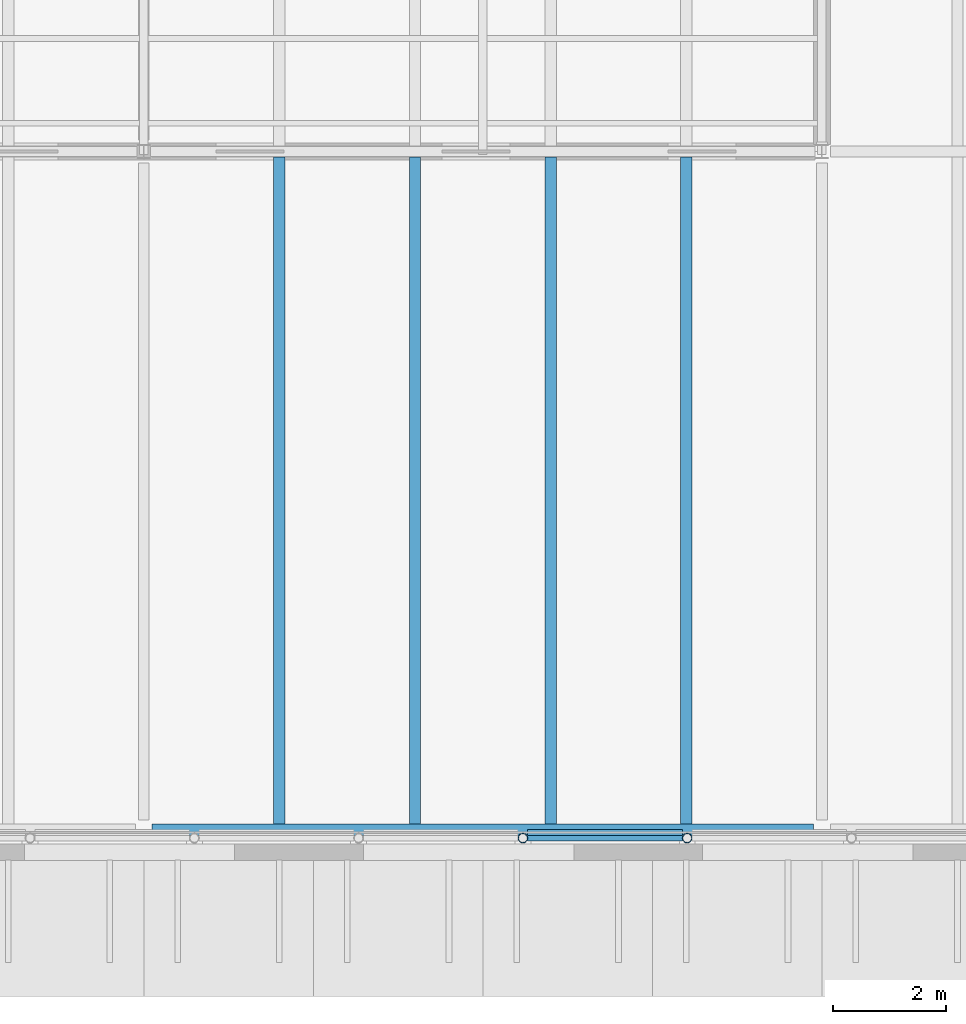
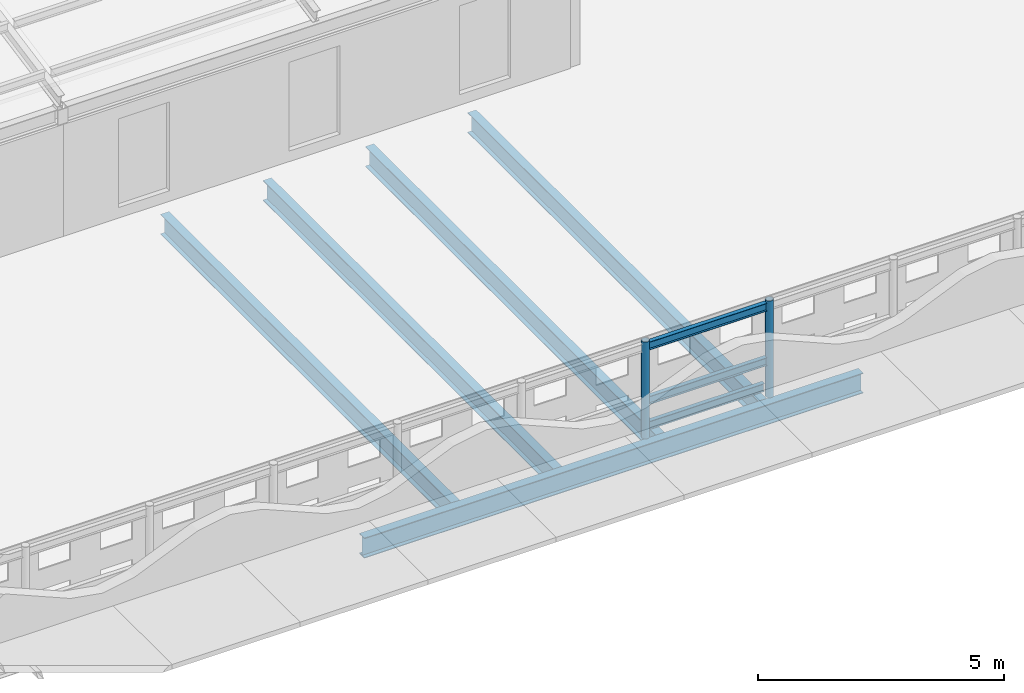
# One storey, part 30 of 91: 5 beams, 5 members.
"""IFC4 building model written with IfcOpenShell, lengths in metres."""

from ifc_helpers import new_model, si_unit, direction, frame, origin, origin_2d, place, context, subcontext, project, spatial, hollow_circle, i_section, extrude, material, material_profile, profile_set, type_object, element, save


model = new_model("IFC4")

# Units and contexts
model_context = context("Model", 3, precision=1e-05, world=origin(), true_north=direction((0.0, 1.0)))
body_context = subcontext(model_context, "Body", "Model", "MODEL_VIEW")
ifc_project = project(units=[si_unit("LENGTHUNIT", "METRE"), si_unit("AREAUNIT", "SQUARE_METRE"), si_unit("VOLUMEUNIT", "CUBIC_METRE"), si_unit("PLANEANGLEUNIT", "RADIAN"), si_unit("MASSUNIT", "GRAM", prefix="KILO")], contexts=[model_context])

# Site, building, storey
site_placement = place(None, origin())
site = spatial("IfcSite", under=ifc_project, at=site_placement, CompositionType="ELEMENT")
building_placement = place(site_placement, origin())
building = spatial("IfcBuilding", under=site, at=building_placement, Name="Ravi Spectrum Wholesale Market", CompositionType="ELEMENT")
storey_placement = place(building_placement, frame((0.0, 0.0, 16.199951171875)))
storey = spatial("IfcBuildingStorey", under=building, at=storey_placement, Name="ROOF PLANT LEVEL", CompositionType="ELEMENT", Elevation=16.199951171875)

# Members
ifc_material_1 = material(Name="Steel S355", Category="steel")
ifc_material_profile_1 = material_profile(ifc_material_1, hollow_circle(Radius=0.084228515625, WallThickness=0.00634765625, at=origin_2d()))
ifc_profile_set_1 = profile_set([ifc_material_profile_1], Name="Steel S355")
member_type_1 = type_object("IfcMemberType", Name="CHS 168.3x6.3 post", PredefinedType="POST", material=ifc_profile_set_1)
for number, where, z_axis, x_axis, name in (
    (1, (264.708740234375, 17.85009765625, 0.0), (0.0, 0.0, 1.0), (1.0, 0.0, 0.0), "CS-MB-ROOF-024"),
    (2, (267.615478515625, 17.85009765625, 0.0), (0.0, 0.0, 1.0), (1.0, 0.0, 0.0), "CS-MB-ROOF-025"),
):
    element("IfcMember", number, at=place(storey_placement, frame(where, z_axis=z_axis, x_axis=x_axis)), inside=storey, type_object=member_type_1, Name=name, PredefinedType="POST", context=body_context, shape_type="SweptSolid", body=[
        extrude(hollow_circle(Radius=0.084228515625, WallThickness=0.00634765625, at=origin_2d()), origin(), (0.0, 0.0, 1.0), 2.400146484375),
    ])
ifc_material_2 = material(Name="Steel S355", Category="steel")
ifc_material_profile_2 = material_profile(ifc_material_2, i_section(OverallWidth=0.10009765625, OverallDepth=0.199951171875, WebThickness=0.005615234375, FlangeThickness=0.008544921875, at=origin_2d()))
ifc_profile_set_2 = profile_set([ifc_material_profile_2], Name="Steel S355")
member_type_2 = type_object("IfcMemberType", Name="IPE 200 purlin", PredefinedType="PURLIN", material=ifc_profile_set_2)
for number, where, z_axis, x_axis, name in (
    (3, (264.792724609375, 17.85009765625, 0.900146484375), (1.0, 0.0, 0.0), (0.0, 1.0, 0.0), "CS-MB-ROOF-162"),
    (4, (264.792724609375, 17.85009765625, 2.25), (1.0, 0.0, 0.0), (0.0, 1.0, 0.0), "CS-MB-ROOF-163"),
    (5, (264.792724609375, 17.94921875, 0.199951171875), (1.0, 0.0, 0.0), (0.0, 1.0, 0.0), "CS-MB-ROOF-164"),
):
    element("IfcMember", number, at=place(storey_placement, frame(where, z_axis=z_axis, x_axis=x_axis)), inside=storey, type_object=member_type_2, Name=name, PredefinedType="PURLIN", context=body_context, shape_type="SweptSolid", body=[
        extrude(i_section(OverallWidth=0.10009765625, OverallDepth=0.199951171875, WebThickness=0.005615234375, FlangeThickness=0.008544921875, at=origin_2d()), origin(), (0.0, 0.0, 1.0), 2.738525390625),
    ])

# Beams
ifc_material_3 = material(Name="Steel S355", Category="steel")
ifc_material_profile_3 = material_profile(ifc_material_3, i_section(OverallWidth=0.199951171875, OverallDepth=0.5, WebThickness=0.01025390625, FlangeThickness=0.01611328125, at=origin_2d()))
ifc_profile_set_3 = profile_set([ifc_material_profile_3], Name="Steel S355")
beam_type = type_object("IfcBeamType", Name="IPE 500 beam", PredefinedType="BEAM", material=ifc_profile_set_3)
beam_placement = place(storey_placement, frame((258.14990234375, 18.0, -0.5), z_axis=(1.0, 0.0, 0.0), x_axis=(0.0, 1.0, 0.0)))
element("IfcBeam", 6, at=beam_placement, inside=storey, type_object=beam_type, Name="CS-BM-ROOF-006", PredefinedType="BEAM", context=body_context, shape_type="SweptSolid", body=[
    extrude(i_section(OverallWidth=0.199951171875, OverallDepth=0.5, WebThickness=0.01025390625, FlangeThickness=0.01611328125, at=origin_2d()), origin(), (0.0, 0.0, 1.0), 11.7001953125),
])
for number, where, z_axis, x_axis, name in (
    (7, (260.39990234375, 18.10009765625, -0.5), (0.0, 1.0, 0.0), (-1.0, 0.0, 0.0), "CS-BM-ROOF-146"),
    (8, (262.800048828125, 18.10009765625, -0.5), (0.0, 1.0, 0.0), (-1.0, 0.0, 0.0), "CS-BM-ROOF-147"),
    (9, (265.199951171875, 18.10009765625, -0.5), (0.0, 1.0, 0.0), (-1.0, 0.0, 0.0), "CS-BM-ROOF-148"),
    (10, (267.60009765625, 18.10009765625, -0.5), (0.0, 1.0, 0.0), (-1.0, 0.0, 0.0), "CS-BM-ROOF-149"),
):
    element("IfcBeam", number, at=place(storey_placement, frame(where, z_axis=z_axis, x_axis=x_axis)), inside=storey, type_object=beam_type, Name=name, PredefinedType="BEAM", context=body_context, shape_type="SweptSolid", body=[
        extrude(i_section(OverallWidth=0.199951171875, OverallDepth=0.5, WebThickness=0.01025390625, FlangeThickness=0.01611328125, at=origin_2d()), origin(), (0.0, 0.0, 1.0), 11.7998046875),
    ])

save(model, "model.ifc")
